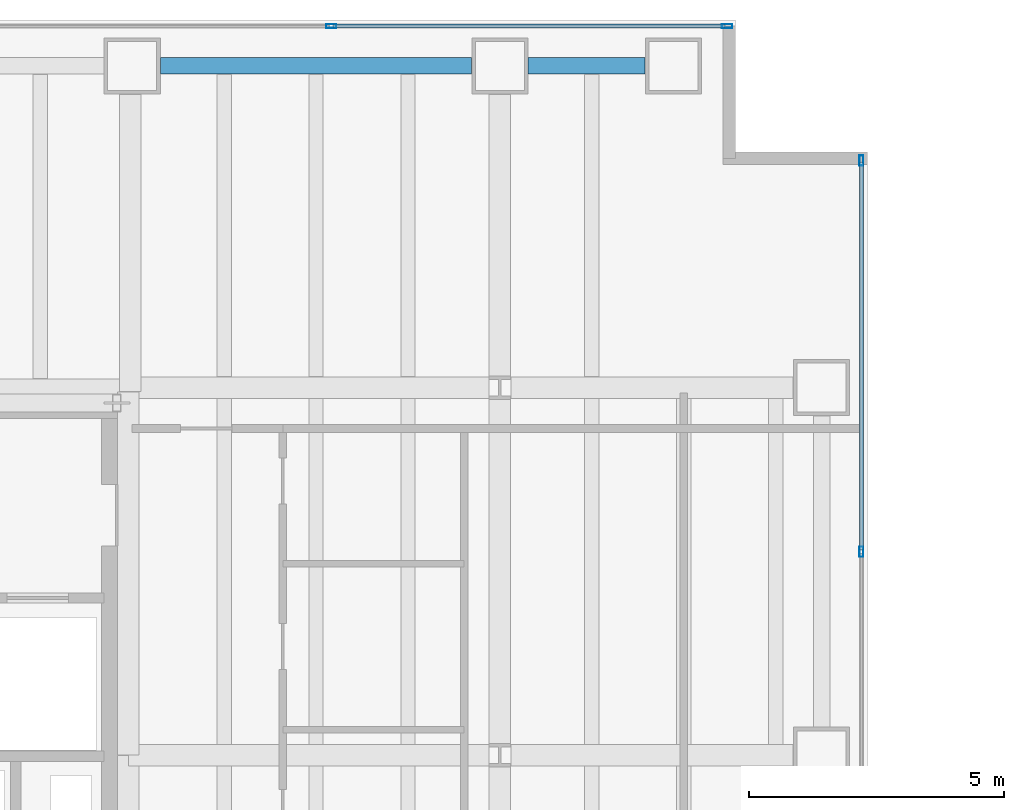
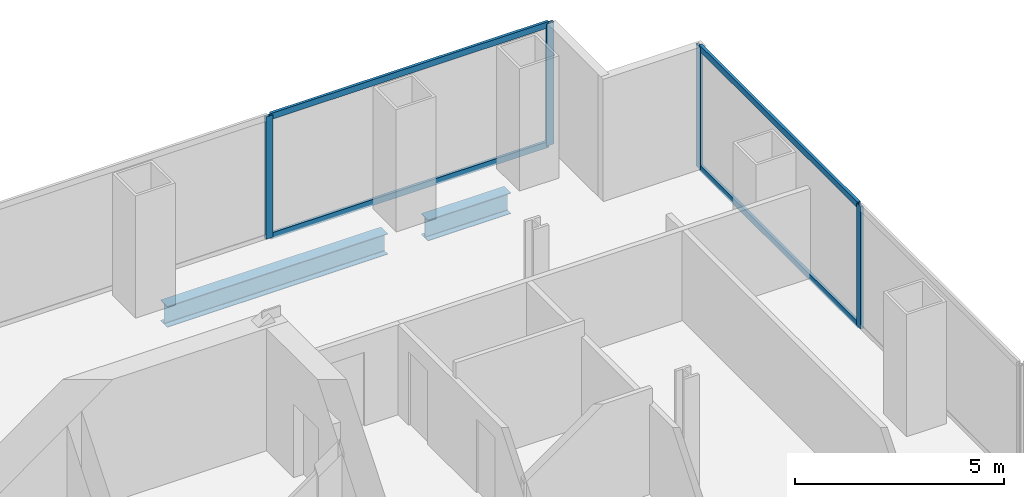
# One storey, part 18 of 23: 8 members, 2 beams, 2 elements without a shape of their own.
"""IFC4 building model written with IfcOpenShell, lengths in metres."""

from ifc_helpers import new_model, si_unit, direction, frame, origin, origin_2d, place, context, subcontext, project, spatial, hollow_rectangle, i_section, extrude, material, material_profile, profile_set, type_object, element, aggregate, save


model = new_model("IFC4")

# Units and contexts
model_context = context("Model", 3, precision=1e-05, world=origin(), true_north=direction((0.0, 1.0)))
body_context = subcontext(model_context, "Body", "Model", "MODEL_VIEW")
ifc_project = project(units=[si_unit("LENGTHUNIT", "METRE"), si_unit("AREAUNIT", "SQUARE_METRE"), si_unit("VOLUMEUNIT", "CUBIC_METRE"), si_unit("PLANEANGLEUNIT", "RADIAN"), si_unit("MASSUNIT", "GRAM", prefix="KILO")], contexts=[model_context])

# Site, building, storey
site_placement = place(None, origin())
site = spatial("IfcSite", under=ifc_project, at=site_placement, CompositionType="ELEMENT")
building_placement = place(site_placement, origin())
building = spatial("IfcBuilding", under=site, at=building_placement, Name="Cobrela Telecom Tower", CompositionType="ELEMENT")
storey_placement = place(building_placement, frame((0.0, 0.0, 38.85009765625)))
storey = spatial("IfcBuildingStorey", under=building, at=storey_placement, Name="L09", CompositionType="ELEMENT", Elevation=38.85009765625)

# Beams
ifc_material_1 = material(Name="Steel ASTM A992 Grade 50", Category="steel")
ifc_material_profile_1 = material_profile(ifc_material_1, i_section(OverallWidth=0.324951171875, OverallDepth=0.612060546875, WebThickness=0.0126953125, FlangeThickness=0.01904296875, FilletRadius=0.014892578125, at=origin_2d()), Name="W24X104")
ifc_profile_set_1 = profile_set([ifc_material_profile_1], Name="Steel ASTM A992 Grade 50")
beam_type = type_object("IfcBeamType", Name="BM-SPAND-02", PredefinedType="SPANDREL", material=ifc_profile_set_1)
beam_1_placement = place(storey_placement, frame((14.955078125, 42.300048828125, -0.586181640625), z_axis=(1.0, 0.0, 0.0), x_axis=(0.0, 1.0, 0.0)))
element("IfcBeam", 1, at=beam_1_placement, inside=storey, type_object=beam_type, Name="L09 Perimeter Spandrel X30", PredefinedType="SPANDREL", context=body_context, shape_type="SweptSolid", body=[
    extrude(i_section(OverallWidth=0.324951171875, OverallDepth=0.612060546875, WebThickness=0.0126953125, FlangeThickness=0.01904296875, FilletRadius=0.014892578125, at=origin_2d()), origin(), (0.0, 0.0, 1.0), 6.08984375),
])
beam_2_placement = place(storey_placement, frame((22.155029296875, 42.300048828125, -0.586181640625), z_axis=(1.0, 0.0, 0.0), x_axis=(0.0, 1.0, 0.0)))
element("IfcBeam", 2, at=beam_2_placement, inside=storey, type_object=beam_type, Name="L09 Perimeter Spandrel X31", PredefinedType="SPANDREL", context=body_context, shape_type="SweptSolid", body=[
    extrude(i_section(OverallWidth=0.324951171875, OverallDepth=0.612060546875, WebThickness=0.0126953125, FlangeThickness=0.01904296875, FilletRadius=0.014892578125, at=origin_2d()), origin(), (0.0, 0.0, 1.0), 2.2900390625),
])

# Curtain wall, members
ifc_material_2 = material(Name="Anodized Bronze Aluminium 6063-T6", Category="aluminium")
curtain_wall_type = type_object("IfcCurtainWallType", Name="CW-SYS-DATA", PredefinedType="USERDEFINED", material=ifc_material_2)
curtain_wall_1_placement = place(storey_placement, origin())
curtain_wall_1 = element("IfcCurtainWall", 3, at=curtain_wall_1_placement, inside=storey, type_object=curtain_wall_type, Name="L09 Unitised Bronze Curtain Wall 07", ObjectType="UNITISED CURTAIN WALL", PredefinedType="USERDEFINED")
ifc_material_profile_2 = material_profile(ifc_material_2, hollow_rectangle(XDim=0.080078125, YDim=0.199951171875, WallThickness=0.00390625, at=origin_2d()), Name="ALU 80x200x4")
ifc_profile_set_2 = profile_set([ifc_material_profile_2], Name="Anodized Bronze Aluminium 6063-T6")
member_type_1 = type_object("IfcMemberType", Name="CW-SYS-DATA-MUL", PredefinedType="MULLION", material=ifc_profile_set_2)
member_1_placement = place(storey_placement, frame((18.296630859375, 43.080078125, 0.0), z_axis=(0.0, 0.0, 1.0), x_axis=(0.0, 1.0, 0.0)))
member_1 = element("IfcMember", 4, at=member_1_placement, type_object=member_type_1, Name="CW-DATA mullion 3", PredefinedType="MULLION", context=body_context, shape_type="SweptSolid", body=[
    extrude(hollow_rectangle(XDim=0.080078125, YDim=0.199951171875, WallThickness=0.00390625, at=origin_2d()), origin(), (0.0, 0.0, 1.0), 3.56982421875),
])
member_2_placement = place(storey_placement, frame((26.050048828125, 43.080078125, 0.0), z_axis=(0.0, 0.0, 1.0), x_axis=(0.0, 1.0, 0.0)))
member_2 = element("IfcMember", 5, at=member_2_placement, type_object=member_type_1, Name="CW-DATA mullion 4", PredefinedType="MULLION", context=body_context, shape_type="SweptSolid", body=[
    extrude(hollow_rectangle(XDim=0.080078125, YDim=0.199951171875, WallThickness=0.00390625, at=origin_2d()), origin(), (0.0, 0.0, 1.0), 3.56982421875),
])

curtain_wall_2_placement = place(storey_placement, origin())
curtain_wall_2 = element("IfcCurtainWall", 6, at=curtain_wall_2_placement, inside=storey, type_object=curtain_wall_type, Name="L09 Unitised Bronze Curtain Wall 10", ObjectType="UNITISED CURTAIN WALL", PredefinedType="USERDEFINED")
member_3_placement = place(storey_placement, frame((28.679931640625, 40.449951171875, 0.0), z_axis=(0.0, 0.0, 1.0), x_axis=(1.0, 0.0, 0.0)))
member_3 = element("IfcMember", 7, at=member_3_placement, type_object=member_type_1, Name="CW-DATA mullion 1", PredefinedType="MULLION", context=body_context, shape_type="SweptSolid", body=[
    extrude(hollow_rectangle(XDim=0.080078125, YDim=0.199951171875, WallThickness=0.00390625, at=origin_2d()), origin(), (0.0, 0.0, 1.0), 3.56982421875),
])
member_4_placement = place(storey_placement, frame((28.679931640625, 32.784912109375, 0.0), z_axis=(0.0, 0.0, 1.0), x_axis=(1.0, 0.0, 0.0)))
member_4 = element("IfcMember", 8, at=member_4_placement, type_object=member_type_1, Name="CW-DATA mullion 2", PredefinedType="MULLION", context=body_context, shape_type="SweptSolid", body=[
    extrude(hollow_rectangle(XDim=0.080078125, YDim=0.199951171875, WallThickness=0.00390625, at=origin_2d()), origin(), (0.0, 0.0, 1.0), 3.56982421875),
])

# Member
ifc_material_profile_3 = material_profile(ifc_material_2, hollow_rectangle(XDim=0.074951171875, YDim=0.179931640625, WallThickness=0.00390625, at=origin_2d()), Name="ALU 75x180x4")
ifc_profile_set_3 = profile_set([ifc_material_profile_3], Name="Anodized Bronze Aluminium 6063-T6")
member_type_2 = type_object("IfcMemberType", Name="CW-SYS-DATA-TRN", PredefinedType="USERDEFINED", material=ifc_profile_set_3)
member_5_placement = place(storey_placement, frame((18.336669921875, 43.080078125, 0.037353515625), z_axis=(1.0, 0.0, 0.0), x_axis=(0.0, 1.0, 0.0)))
member_5 = element("IfcMember", 9, at=member_5_placement, type_object=member_type_2, Name="CW-DATA transom 3.1", ObjectType="TRANSOM", PredefinedType="USERDEFINED", context=body_context, shape_type="SweptSolid", body=[
    extrude(hollow_rectangle(XDim=0.074951171875, YDim=0.179931640625, WallThickness=0.00390625, at=origin_2d()), origin(), (0.0, 0.0, 1.0), 7.67333984375),
])

member_6_placement = place(storey_placement, frame((18.336669921875, 43.080078125, 3.532470703125), z_axis=(1.0, 0.0, 0.0), x_axis=(0.0, 1.0, 0.0)))
member_6 = element("IfcMember", 10, at=member_6_placement, type_object=member_type_2, Name="CW-DATA transom 3.2", ObjectType="TRANSOM", PredefinedType="USERDEFINED", context=body_context, shape_type="SweptSolid", body=[
    extrude(hollow_rectangle(XDim=0.074951171875, YDim=0.179931640625, WallThickness=0.00390625, at=origin_2d()), origin(), (0.0, 0.0, 1.0), 7.67333984375),
])

aggregate(curtain_wall_1, [member_1, member_2, member_5, member_6])

member_7_placement = place(storey_placement, frame((28.679931640625, 40.409912109375, 0.037353515625), z_axis=(0.0, -1.0, 0.0), x_axis=(1.0, 0.0, 0.0)))
member_7 = element("IfcMember", 11, at=member_7_placement, type_object=member_type_2, Name="CW-DATA transom 1.1", ObjectType="TRANSOM", PredefinedType="USERDEFINED", context=body_context, shape_type="SweptSolid", body=[
    extrude(hollow_rectangle(XDim=0.074951171875, YDim=0.179931640625, WallThickness=0.00390625, at=origin_2d()), origin(), (0.0, 0.0, 1.0), 7.5849609375),
])

member_8_placement = place(storey_placement, frame((28.679931640625, 40.409912109375, 3.532470703125), z_axis=(0.0, -1.0, 0.0), x_axis=(1.0, 0.0, 0.0)))
member_8 = element("IfcMember", 12, at=member_8_placement, type_object=member_type_2, Name="CW-DATA transom 1.2", ObjectType="TRANSOM", PredefinedType="USERDEFINED", context=body_context, shape_type="SweptSolid", body=[
    extrude(hollow_rectangle(XDim=0.074951171875, YDim=0.179931640625, WallThickness=0.00390625, at=origin_2d()), origin(), (0.0, 0.0, 1.0), 7.5849609375),
])

aggregate(curtain_wall_2, [member_3, member_4, member_7, member_8])

save(model, "model.ifc")
